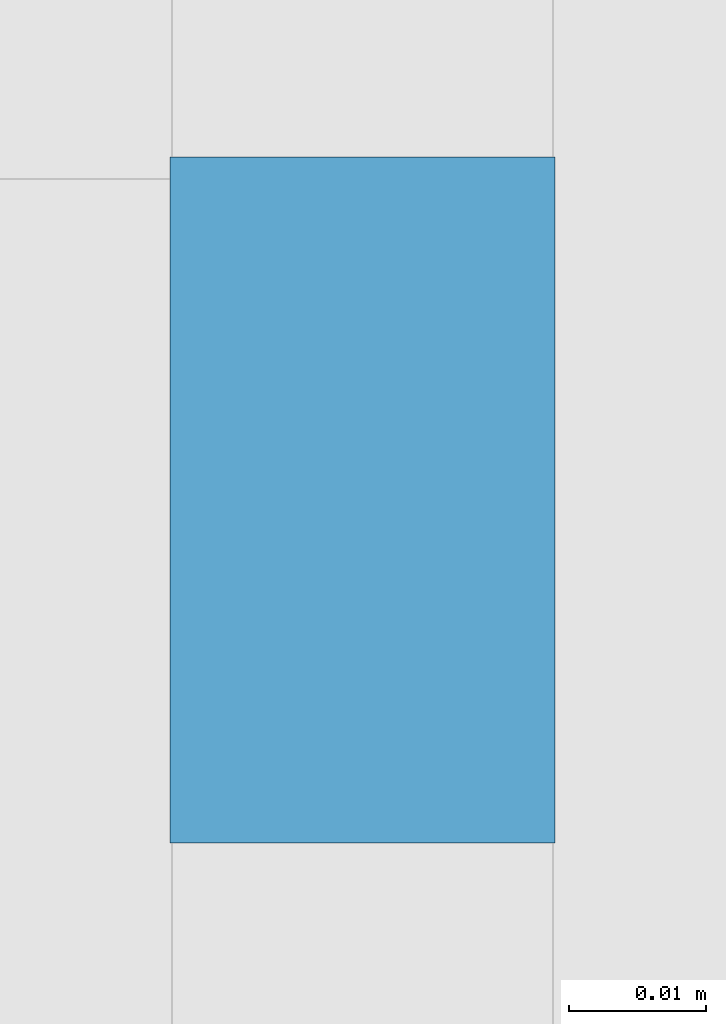
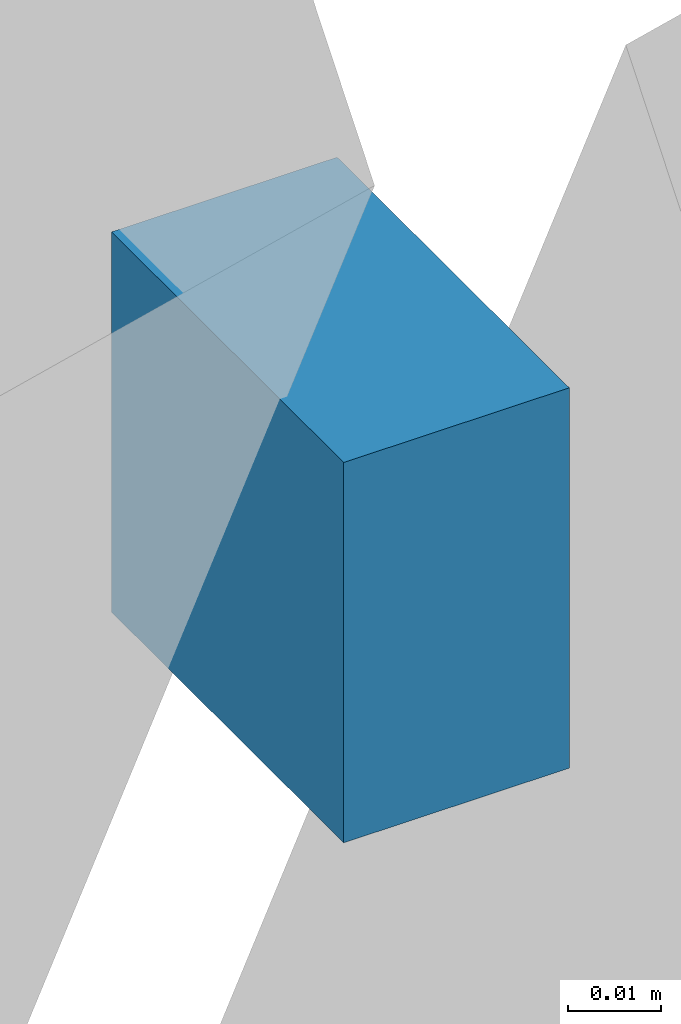
# One storey, part 17 of 19: 1 discrete accessory, 1 element without a shape of its own.
"""IFC4 building model written with IfcOpenShell, lengths in metres."""

from ifc_helpers import new_model, si_unit, direction, frame, origin, origin_2d, place, context, subcontext, project, spatial, rectangle, extrude, material, type_object, element, aggregate, save


model = new_model("IFC4")

# Units and contexts
model_context = context("Model", 3, precision=1e-05, world=origin(), true_north=direction((0.0, 1.0)))
body_context = subcontext(model_context, "Body", "Model", "MODEL_VIEW")
ifc_project = project(units=[si_unit("LENGTHUNIT", "METRE"), si_unit("AREAUNIT", "SQUARE_METRE"), si_unit("VOLUMEUNIT", "CUBIC_METRE"), si_unit("PLANEANGLEUNIT", "RADIAN"), si_unit("MASSUNIT", "GRAM", prefix="KILO")], contexts=[model_context])

# Site, building, storey
site_placement = place(None, origin())
site = spatial("IfcSite", under=ifc_project, at=site_placement, CompositionType="ELEMENT")
building_placement = place(site_placement, origin())
building = spatial("IfcBuilding", under=site, at=building_placement, Name="Tessera Arch", CompositionType="ELEMENT")
storey_placement = place(building_placement, frame((0.0, 0.0, 170.0)))
storey = spatial("IfcBuildingStorey", under=building, at=storey_placement, Name="L40", CompositionType="ELEMENT", Elevation=170.0)

# Curtain wall, discrete accessory
ifc_material = material(Name="CW3 curtain wall")
curtain_wall_type = type_object("IfcCurtainWallType", Name="CW3 curtain wall", PredefinedType="NOTDEFINED", material=ifc_material)
curtain_wall_placement = place(storey_placement, origin())
curtain_wall = element("IfcCurtainWall", 1, at=curtain_wall_placement, inside=storey, type_object=curtain_wall_type, Name="CW3 curtain wall E54.27/0 L40", PredefinedType="NOTDEFINED")
discrete_accessory_placement = place(storey_placement, frame((54.0439453125, 41.085205078125, 1.19189453125), z_axis=(0.0, 0.0, 1.0), x_axis=(0.0, 1.0, 0.0)))
discrete_accessory = element("IfcDiscreteAccessory", 2, at=discrete_accessory_placement, Name="Glazing bracket", PredefinedType="BRACKET", context=body_context, shape_type="SweptSolid", body=[
    extrude(rectangle(XDim=0.050048828125, YDim=0.028076171875, at=origin_2d()), origin(), (0.0, 0.0, 1.0), 0.050048828125),
])
aggregate(curtain_wall, [discrete_accessory])

save(model, "model.ifc")
